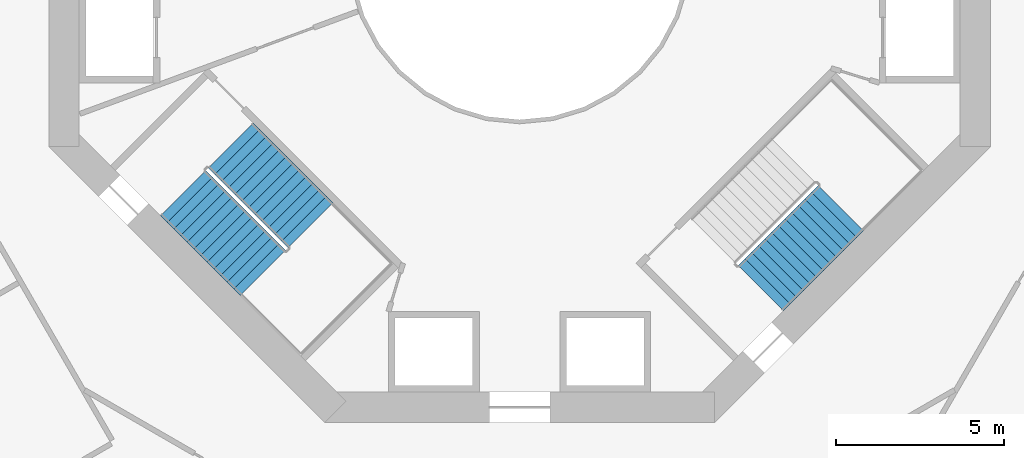
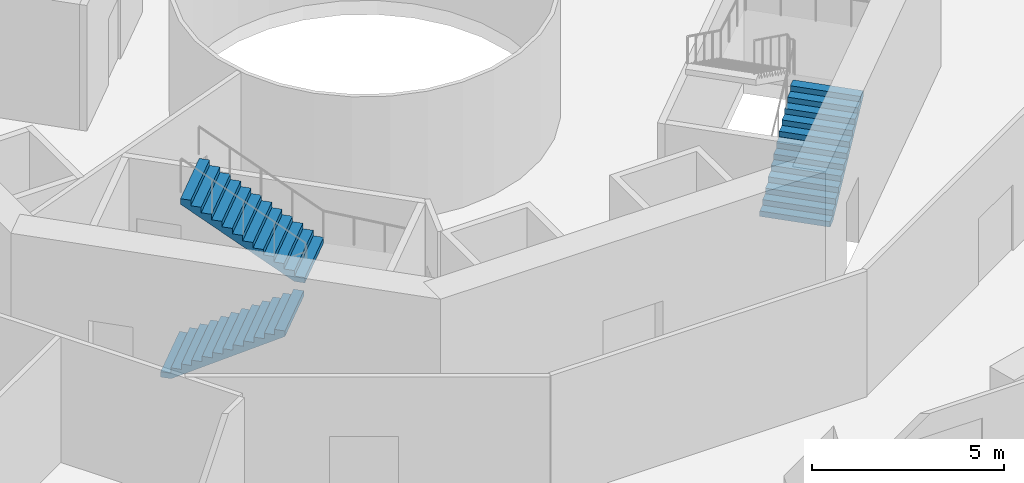
# One storey, part 9 of 20: 3 stair flights, 2 elements without a shape of their own.
"""IFC4 building model written with IfcOpenShell, lengths in metres."""

from ifc_helpers import new_model, si_unit, direction, frame, origin, place, context, subcontext, project, spatial, triangles, material, type_object, element, aggregate, save


model = new_model("IFC4")

# Units and contexts
model_context = context("Model", 3, precision=1e-05, world=origin(), true_north=direction((0.0, 1.0)))
body_context = subcontext(model_context, "Body", "Model", "MODEL_VIEW")
ifc_project = project(units=[si_unit("LENGTHUNIT", "METRE"), si_unit("AREAUNIT", "SQUARE_METRE"), si_unit("VOLUMEUNIT", "CUBIC_METRE"), si_unit("PLANEANGLEUNIT", "RADIAN"), si_unit("MASSUNIT", "GRAM", prefix="KILO")], contexts=[model_context])

# Site, building, storey
site_placement = place(None, origin())
site = spatial("IfcSite", under=ifc_project, at=site_placement, CompositionType="ELEMENT")
building_placement = place(site_placement, origin())
building = spatial("IfcBuilding", under=site, at=building_placement, Name="Verdalira Terraces Hotel", CompositionType="ELEMENT")
storey_placement = place(building_placement, frame((0.0, 0.0, 23.5)))
storey = spatial("IfcBuildingStorey", under=building, at=storey_placement, Name="L04", CompositionType="ELEMENT", Elevation=23.5)

# Stair, stair flights
ifc_material_1 = material(Name="Concrete C40", Category="concrete")
stair_type = type_object("IfcStairType", Name="Core stair 26 risers 1900 mm wide", PredefinedType="HALF_TURN_STAIR", material=ifc_material_1)
stair_1_placement = place(storey_placement, origin())
stair_1 = element("IfcStair", 1, at=stair_1_placement, inside=storey, type_object=stair_type, Name="L04 Exit stair ST2", PredefinedType="HALF_TURN_STAIR")
ifc_material_2 = material(Name="Concrete C40", Category="concrete")
stair_flight_type = type_object("IfcStairFlightType", Name="Core stair flight 26 risers 1900 mm wide", PredefinedType="STRAIGHT", material=ifc_material_2)
stair_flight_1_placement = place(storey_placement, frame((-10.005615, -7.177246, 0.0), z_axis=(0.0, 0.0, 1.0), x_axis=(0.707106781, -0.707106781, 0.0)))
stair_flight_1 = element("IfcStairFlight", 2, at=stair_flight_1_placement, type_object=stair_flight_type, Name="ST2 flight 1", NumberOfRisers=13, NumberOfTreads=12, PredefinedType="STRAIGHT", RiserHeight=0.173076923, TreadLength=0.28, context=body_context, shape_type="Tessellation", body=[
    triangles([(0.0, 0.949951, 0.0), (0.285156, 0.949951, 0.0), (3.360107, 0.949951, 1.900635), (0.0, -0.949951, 0.0), (0.285156, -0.949951, 0.0), (3.360107, -0.949951, 1.900635), (3.360107, 0.949951, 2.076904), (3.080078, 0.949951, 2.076904), (3.360107, -0.949951, 2.076904), (3.080078, -0.949951, 2.076904), (3.080078, 0.949951, 1.903809), (3.080078, -0.949951, 1.903809), (2.800049, 0.949951, 1.903809), (2.800049, -0.949951, 1.903809), (2.800049, 0.949951, 1.730713), (2.800049, -0.949951, 1.730713), (2.52002, 0.949951, 1.730713), (2.52002, 0.949951, 1.557617), (2.52002, -0.949951, 1.730713), (2.52002, -0.949951, 1.557617), (2.23999, 0.949951, 1.557617), (2.23999, 0.949951, 1.384521), (2.23999, -0.949951, 1.557617), (2.23999, -0.949951, 1.384521), (1.959961, 0.949951, 1.384521), (1.959961, 0.949951, 1.211426), (1.959961, -0.949951, 1.384521), (1.959961, -0.949951, 1.211426), (1.679932, 0.949951, 1.211426), (1.679932, 0.949951, 1.038574), (1.679932, -0.949951, 1.211426), (1.679932, -0.949951, 1.038574), (1.399902, 0.949951, 1.038574), (1.399902, 0.949951, 0.865479), (1.399902, -0.949951, 1.038574), (1.399902, -0.949951, 0.865479), (1.120117, 0.949951, 0.865479), (1.120117, 0.949951, 0.692383), (1.120117, -0.949951, 0.865479), (1.120117, -0.949951, 0.692383), (0.840088, 0.949951, 0.692383), (0.840088, 0.949951, 0.519287), (0.840088, -0.949951, 0.692383), (0.840088, -0.949951, 0.519287), (0.560059, 0.949951, 0.519287), (0.560059, 0.949951, 0.346191), (0.560059, -0.949951, 0.519287), (0.560059, -0.949951, 0.346191), (0.280029, 0.949951, 0.346191), (0.280029, 0.949951, 0.173096), (0.280029, -0.949951, 0.346191), (0.280029, -0.949951, 0.173096), (0.0, 0.949951, 0.173096), (0.0, -0.949951, 0.173096), (0.0, -0.890579, 0.0), (0.0, -0.890579, 0.173096), (0.0, -0.831207, 0.0), (0.0, -0.831207, 0.173096), (0.0, -0.771835, 0.0), (0.0, -0.771835, 0.173096), (0.0, -0.712463, 0.0), (0.0, -0.712463, 0.173096), (0.0, -0.653091, 0.0), (0.0, -0.653091, 0.173096), (0.0, -0.593719, 0.0), (0.0, -0.593719, 0.173096), (0.0, -0.534348, 0.0), (0.0, -0.534348, 0.173096), (0.0, -0.474976, 0.0), (0.0, -0.474976, 0.173096), (0.0, -0.415604, 0.0), (0.0, -0.415604, 0.173096), (0.0, -0.356232, 0.0), (0.0, -0.356232, 0.173096), (0.0, -0.29686, 0.0), (0.0, -0.29686, 0.173096), (0.0, -0.237488, 0.0), (0.0, -0.237488, 0.173096), (0.0, -0.178116, 0.0), (0.0, -0.178116, 0.173096), (0.0, -0.118744, 0.0), (0.0, -0.118744, 0.173096), (0.0, -0.059372, 0.0), (0.0, -0.059372, 0.173096), (0.0, 0.0, 0.0), (0.0, 0.0, 0.173096), (0.0, 0.059372, 0.0), (0.0, 0.059372, 0.173096), (0.0, 0.118744, 0.0), (0.0, 0.118744, 0.173096), (0.0, 0.178116, 0.0), (0.0, 0.178116, 0.173096), (0.0, 0.237488, 0.0), (0.0, 0.237488, 0.173096), (0.0, 0.29686, 0.0), (0.0, 0.29686, 0.173096), (0.0, 0.356232, 0.0), (0.0, 0.356232, 0.173096), (0.0, 0.415604, 0.0), (0.0, 0.415604, 0.173096), (0.0, 0.474976, 0.0), (0.0, 0.474976, 0.173096), (0.0, 0.534348, 0.0), (0.0, 0.534348, 0.173096), (0.0, 0.593719, 0.0), (0.0, 0.593719, 0.173096), (0.0, 0.653091, 0.0), (0.0, 0.653091, 0.173096), (0.0, 0.712463, 0.0), (0.0, 0.712463, 0.173096), (0.0, 0.771835, 0.0), (0.0, 0.771835, 0.173096), (0.0, 0.831207, 0.0), (0.0, 0.831207, 0.173096), (0.0, 0.890579, 0.0), (0.0, 0.890579, 0.173096), (3.360107, -0.890579, 2.076904), (3.360107, -0.831207, 2.076904), (3.360107, -0.771835, 2.076904), (3.360107, -0.712463, 2.076904), (3.360107, -0.653091, 2.076904), (3.360107, -0.593719, 2.076904), (3.360107, -0.534348, 2.076904), (3.360107, -0.474976, 2.076904), (3.360107, -0.415604, 2.076904), (3.360107, -0.356232, 2.076904), (3.360107, -0.29686, 2.076904), (3.360107, -0.237488, 2.076904), (3.360107, -0.178116, 2.076904), (3.360107, -0.118744, 2.076904), (3.360107, -0.059372, 2.076904), (3.360107, 0.0, 2.076904), (3.360107, 0.059372, 2.076904), (3.360107, 0.118744, 2.076904), (3.360107, 0.178116, 2.076904), (3.360107, 0.237488, 2.076904), (3.360107, 0.29686, 2.076904), (3.360107, 0.356232, 2.076904), (3.360107, 0.415604, 2.076904), (3.360107, 0.474976, 2.076904), (3.360107, 0.534348, 2.076904), (3.360107, 0.593719, 2.076904), (3.360107, 0.653091, 2.076904), (3.360107, 0.712463, 2.076904), (3.360107, 0.771835, 2.076904), (3.360107, 0.831207, 2.076904), (3.360107, 0.890579, 2.076904), (3.360107, -0.890579, 1.900635), (3.360107, -0.831207, 1.900635), (3.360107, -0.771835, 1.900635), (3.360107, -0.712463, 1.900635), (3.360107, -0.653091, 1.900635), (3.360107, -0.593719, 1.900635), (3.360107, -0.534348, 1.900635), (3.360107, -0.474976, 1.900635), (3.360107, -0.415604, 1.900635), (3.360107, -0.356232, 1.900635), (3.360107, -0.29686, 1.900635), (3.360107, -0.237488, 1.900635), (3.360107, -0.178116, 1.900635), (3.360107, -0.118744, 1.900635), (3.360107, -0.059372, 1.900635), (3.360107, 0.0, 1.900635), (3.360107, 0.059372, 1.900635), (3.360107, 0.118744, 1.900635), (3.360107, 0.178116, 1.900635), (3.360107, 0.237488, 1.900635), (3.360107, 0.29686, 1.900635), (3.360107, 0.356232, 1.900635), (3.360107, 0.415604, 1.900635), (3.360107, 0.474976, 1.900635), (3.360107, 0.534348, 1.900635), (3.360107, 0.593719, 1.900635), (3.360107, 0.653091, 1.900635), (3.360107, 0.712463, 1.900635), (3.360107, 0.771835, 1.900635), (3.360107, 0.831207, 1.900635), (3.360107, 0.890579, 1.900635)], [[1, 3, 2], [4, 5, 6], [3, 8, 7], [6, 9, 10], [3, 11, 8], [6, 10, 12], [3, 13, 11], [6, 12, 14], [3, 15, 13], [6, 14, 16], [15, 18, 17], [16, 19, 20], [3, 18, 15], [6, 16, 20], [18, 22, 21], [20, 23, 24], [3, 22, 18], [6, 20, 24], [22, 26, 25], [24, 27, 28], [3, 26, 22], [6, 24, 28], [1, 26, 3], [4, 6, 28], [26, 30, 29], [28, 31, 32], [30, 34, 33], [32, 35, 36], [26, 34, 30], [28, 32, 36], [34, 38, 37], [36, 39, 40], [26, 38, 34], [28, 36, 40], [38, 42, 41], [40, 43, 44], [26, 42, 38], [28, 40, 44], [42, 46, 45], [44, 47, 48], [26, 46, 42], [28, 44, 48], [46, 50, 49], [48, 51, 52], [26, 50, 46], [28, 48, 52], [1, 50, 26], [4, 28, 52], [50, 1, 53], [52, 54, 4], [4, 56, 55], [4, 54, 56], [55, 58, 57], [55, 56, 58], [57, 60, 59], [57, 58, 60], [59, 62, 61], [59, 60, 62], [61, 64, 63], [61, 62, 64], [63, 66, 65], [63, 64, 66], [65, 68, 67], [65, 66, 68], [67, 70, 69], [67, 68, 70], [69, 72, 71], [69, 70, 72], [71, 74, 73], [71, 72, 74], [73, 76, 75], [73, 74, 76], [75, 78, 77], [75, 76, 78], [77, 80, 79], [77, 78, 80], [79, 82, 81], [79, 80, 82], [81, 84, 83], [81, 82, 84], [83, 86, 85], [83, 84, 86], [85, 88, 87], [85, 86, 88], [87, 90, 89], [87, 88, 90], [89, 92, 91], [89, 90, 92], [91, 94, 93], [91, 92, 94], [93, 96, 95], [93, 94, 96], [95, 98, 97], [95, 96, 98], [97, 100, 99], [97, 98, 100], [99, 102, 101], [99, 100, 102], [101, 104, 103], [101, 102, 104], [103, 106, 105], [103, 104, 106], [105, 108, 107], [105, 106, 108], [107, 110, 109], [107, 108, 110], [109, 112, 111], [109, 110, 112], [111, 114, 113], [111, 112, 114], [113, 116, 115], [113, 114, 116], [115, 53, 1], [115, 116, 53], [54, 52, 56], [56, 52, 58], [58, 52, 60], [60, 52, 62], [62, 52, 64], [64, 52, 66], [66, 52, 68], [68, 52, 70], [70, 52, 72], [72, 52, 74], [74, 52, 76], [76, 52, 78], [78, 52, 80], [80, 52, 82], [82, 52, 84], [84, 52, 86], [86, 52, 88], [88, 52, 90], [90, 52, 92], [92, 52, 94], [94, 52, 96], [96, 52, 98], [98, 52, 100], [100, 52, 102], [102, 52, 104], [104, 52, 106], [106, 52, 108], [108, 52, 110], [110, 52, 112], [112, 52, 114], [114, 52, 116], [116, 52, 53], [53, 52, 50], [52, 49, 50], [52, 51, 49], [51, 46, 49], [51, 48, 46], [48, 45, 46], [48, 47, 45], [47, 42, 45], [47, 44, 42], [44, 41, 42], [44, 43, 41], [43, 38, 41], [43, 40, 38], [40, 37, 38], [40, 39, 37], [39, 34, 37], [39, 36, 34], [36, 33, 34], [36, 35, 33], [35, 30, 33], [35, 32, 30], [32, 29, 30], [32, 31, 29], [31, 26, 29], [31, 28, 26], [28, 25, 26], [28, 27, 25], [27, 22, 25], [27, 24, 22], [24, 21, 22], [24, 23, 21], [23, 18, 21], [23, 20, 18], [20, 17, 18], [20, 19, 17], [19, 15, 17], [19, 16, 15], [16, 13, 15], [16, 14, 13], [14, 11, 13], [14, 12, 11], [12, 8, 11], [12, 10, 8], [9, 117, 10], [117, 118, 10], [118, 119, 10], [119, 120, 10], [120, 121, 10], [121, 122, 10], [122, 123, 10], [123, 124, 10], [124, 125, 10], [125, 126, 10], [126, 127, 10], [127, 128, 10], [128, 129, 10], [129, 130, 10], [130, 131, 10], [131, 132, 10], [132, 133, 10], [133, 134, 10], [134, 135, 10], [135, 136, 10], [136, 137, 10], [137, 138, 10], [138, 139, 10], [139, 140, 10], [140, 141, 10], [141, 142, 10], [142, 143, 10], [143, 144, 10], [144, 145, 10], [145, 146, 10], [146, 147, 10], [147, 7, 10], [7, 8, 10], [9, 148, 117], [9, 6, 148], [117, 149, 118], [117, 148, 149], [118, 150, 119], [118, 149, 150], [119, 151, 120], [119, 150, 151], [120, 152, 121], [120, 151, 152], [121, 153, 122], [121, 152, 153], [122, 154, 123], [122, 153, 154], [123, 155, 124], [123, 154, 155], [124, 156, 125], [124, 155, 156], [125, 157, 126], [125, 156, 157], [126, 158, 127], [126, 157, 158], [127, 159, 128], [127, 158, 159], [128, 160, 129], [128, 159, 160], [129, 161, 130], [129, 160, 161], [130, 162, 131], [130, 161, 162], [131, 163, 132], [131, 162, 163], [132, 164, 133], [132, 163, 164], [133, 165, 134], [133, 164, 165], [134, 166, 135], [134, 165, 166], [135, 167, 136], [135, 166, 167], [136, 168, 137], [136, 167, 168], [137, 169, 138], [137, 168, 169], [138, 170, 139], [138, 169, 170], [139, 171, 140], [139, 170, 171], [140, 172, 141], [140, 171, 172], [141, 173, 142], [141, 172, 173], [142, 174, 143], [142, 173, 174], [143, 175, 144], [143, 174, 175], [144, 176, 145], [144, 175, 176], [145, 177, 146], [145, 176, 177], [146, 178, 147], [146, 177, 178], [147, 3, 7], [147, 178, 3], [6, 5, 148], [148, 5, 149], [149, 5, 150], [150, 5, 151], [151, 5, 152], [152, 5, 153], [153, 5, 154], [154, 5, 155], [155, 5, 156], [156, 5, 157], [157, 5, 158], [158, 5, 159], [159, 5, 160], [160, 5, 161], [161, 5, 162], [162, 5, 163], [163, 5, 164], [164, 5, 165], [165, 5, 166], [166, 5, 167], [167, 5, 168], [168, 5, 169], [169, 5, 170], [170, 5, 171], [171, 5, 172], [172, 5, 173], [173, 5, 174], [174, 5, 175], [175, 5, 176], [176, 5, 177], [177, 5, 178], [178, 5, 3], [3, 5, 2], [4, 55, 5], [55, 57, 5], [57, 59, 5], [59, 61, 5], [61, 63, 5], [63, 65, 5], [65, 67, 5], [67, 69, 5], [69, 71, 5], [71, 73, 5], [73, 75, 5], [75, 77, 5], [77, 79, 5], [79, 81, 5], [81, 83, 5], [83, 85, 5], [85, 87, 5], [87, 89, 5], [89, 91, 5], [91, 93, 5], [93, 95, 5], [95, 97, 5], [97, 99, 5], [99, 101, 5], [101, 103, 5], [103, 105, 5], [105, 107, 5], [107, 109, 5], [109, 111, 5], [111, 113, 5], [113, 115, 5], [115, 1, 5], [1, 2, 5]], closed=True),
])
stair_flight_2_placement = place(storey_placement, frame((-6.215576, -8.138916, 2.25), z_axis=(0.0, 0.0, 1.0), x_axis=(-0.707106781, 0.707106781, 0.0)))
stair_flight_2 = element("IfcStairFlight", 3, at=stair_flight_2_placement, type_object=stair_flight_type, Name="ST2 flight 2", NumberOfRisers=13, NumberOfTreads=12, PredefinedType="STRAIGHT", RiserHeight=0.173076923, TreadLength=0.28, context=body_context, shape_type="Tessellation", body=[
    triangles([(0.0, 0.949951, 0.0), (0.285156, 0.949951, 0.0), (3.360107, 0.949951, 1.900635), (0.0, -0.949951, 0.0), (0.285156, -0.949951, 0.0), (3.360107, -0.949951, 1.900635), (3.360107, 0.949951, 2.076904), (3.080078, 0.949951, 2.076904), (3.360107, -0.949951, 2.076904), (3.080078, -0.949951, 2.076904), (3.080078, 0.949951, 1.903809), (3.080078, -0.949951, 1.903809), (2.800049, 0.949951, 1.903809), (2.800049, -0.949951, 1.903809), (2.800049, 0.949951, 1.730713), (2.800049, -0.949951, 1.730713), (2.52002, 0.949951, 1.730713), (2.52002, 0.949951, 1.557617), (2.52002, -0.949951, 1.730713), (2.52002, -0.949951, 1.557617), (2.23999, 0.949951, 1.557617), (2.23999, 0.949951, 1.384521), (2.23999, -0.949951, 1.557617), (2.23999, -0.949951, 1.384521), (1.959961, 0.949951, 1.384521), (1.959961, 0.949951, 1.211426), (1.959961, -0.949951, 1.384521), (1.959961, -0.949951, 1.211426), (1.679932, 0.949951, 1.211426), (1.679932, 0.949951, 1.038574), (1.679932, -0.949951, 1.211426), (1.679932, -0.949951, 1.038574), (1.399902, 0.949951, 1.038574), (1.399902, 0.949951, 0.865479), (1.399902, -0.949951, 1.038574), (1.399902, -0.949951, 0.865479), (1.120117, 0.949951, 0.865479), (1.120117, 0.949951, 0.692383), (1.120117, -0.949951, 0.865479), (1.120117, -0.949951, 0.692383), (0.840088, 0.949951, 0.692383), (0.840088, 0.949951, 0.519287), (0.840088, -0.949951, 0.692383), (0.840088, -0.949951, 0.519287), (0.560059, 0.949951, 0.519287), (0.560059, 0.949951, 0.346191), (0.560059, -0.949951, 0.519287), (0.560059, -0.949951, 0.346191), (0.280029, 0.949951, 0.346191), (0.280029, 0.949951, 0.173096), (0.280029, -0.949951, 0.346191), (0.280029, -0.949951, 0.173096), (0.0, 0.949951, 0.173096), (0.0, -0.949951, 0.173096), (0.0, -0.890579, 0.0), (0.0, -0.890579, 0.173096), (0.0, -0.831207, 0.0), (0.0, -0.831207, 0.173096), (0.0, -0.771835, 0.0), (0.0, -0.771835, 0.173096), (0.0, -0.712463, 0.0), (0.0, -0.712463, 0.173096), (0.0, -0.653091, 0.0), (0.0, -0.653091, 0.173096), (0.0, -0.593719, 0.0), (0.0, -0.593719, 0.173096), (0.0, -0.534348, 0.0), (0.0, -0.534348, 0.173096), (0.0, -0.474976, 0.0), (0.0, -0.474976, 0.173096), (0.0, -0.415604, 0.0), (0.0, -0.415604, 0.173096), (0.0, -0.356232, 0.0), (0.0, -0.356232, 0.173096), (0.0, -0.29686, 0.0), (0.0, -0.29686, 0.173096), (0.0, -0.237488, 0.0), (0.0, -0.237488, 0.173096), (0.0, -0.178116, 0.0), (0.0, -0.178116, 0.173096), (0.0, -0.118744, 0.0), (0.0, -0.118744, 0.173096), (0.0, -0.059372, 0.0), (0.0, -0.059372, 0.173096), (0.0, 0.0, 0.0), (0.0, 0.0, 0.173096), (0.0, 0.059372, 0.0), (0.0, 0.059372, 0.173096), (0.0, 0.118744, 0.0), (0.0, 0.118744, 0.173096), (0.0, 0.178116, 0.0), (0.0, 0.178116, 0.173096), (0.0, 0.237488, 0.0), (0.0, 0.237488, 0.173096), (0.0, 0.29686, 0.0), (0.0, 0.29686, 0.173096), (0.0, 0.356232, 0.0), (0.0, 0.356232, 0.173096), (0.0, 0.415604, 0.0), (0.0, 0.415604, 0.173096), (0.0, 0.474976, 0.0), (0.0, 0.474976, 0.173096), (0.0, 0.534348, 0.0), (0.0, 0.534348, 0.173096), (0.0, 0.593719, 0.0), (0.0, 0.593719, 0.173096), (0.0, 0.653091, 0.0), (0.0, 0.653091, 0.173096), (0.0, 0.712463, 0.0), (0.0, 0.712463, 0.173096), (0.0, 0.771835, 0.0), (0.0, 0.771835, 0.173096), (0.0, 0.831207, 0.0), (0.0, 0.831207, 0.173096), (0.0, 0.890579, 0.0), (0.0, 0.890579, 0.173096), (3.360107, -0.890579, 2.076904), (3.360107, -0.831207, 2.076904), (3.360107, -0.771835, 2.076904), (3.360107, -0.712463, 2.076904), (3.360107, -0.653091, 2.076904), (3.360107, -0.593719, 2.076904), (3.360107, -0.534348, 2.076904), (3.360107, -0.474976, 2.076904), (3.360107, -0.415604, 2.076904), (3.360107, -0.356232, 2.076904), (3.360107, -0.29686, 2.076904), (3.360107, -0.237488, 2.076904), (3.360107, -0.178116, 2.076904), (3.360107, -0.118744, 2.076904), (3.360107, -0.059372, 2.076904), (3.360107, 0.0, 2.076904), (3.360107, 0.059372, 2.076904), (3.360107, 0.118744, 2.076904), (3.360107, 0.178116, 2.076904), (3.360107, 0.237488, 2.076904), (3.360107, 0.29686, 2.076904), (3.360107, 0.356232, 2.076904), (3.360107, 0.415604, 2.076904), (3.360107, 0.474976, 2.076904), (3.360107, 0.534348, 2.076904), (3.360107, 0.593719, 2.076904), (3.360107, 0.653091, 2.076904), (3.360107, 0.712463, 2.076904), (3.360107, 0.771835, 2.076904), (3.360107, 0.831207, 2.076904), (3.360107, 0.890579, 2.076904), (3.360107, -0.890579, 1.900635), (3.360107, -0.831207, 1.900635), (3.360107, -0.771835, 1.900635), (3.360107, -0.712463, 1.900635), (3.360107, -0.653091, 1.900635), (3.360107, -0.593719, 1.900635), (3.360107, -0.534348, 1.900635), (3.360107, -0.474976, 1.900635), (3.360107, -0.415604, 1.900635), (3.360107, -0.356232, 1.900635), (3.360107, -0.29686, 1.900635), (3.360107, -0.237488, 1.900635), (3.360107, -0.178116, 1.900635), (3.360107, -0.118744, 1.900635), (3.360107, -0.059372, 1.900635), (3.360107, 0.0, 1.900635), (3.360107, 0.059372, 1.900635), (3.360107, 0.118744, 1.900635), (3.360107, 0.178116, 1.900635), (3.360107, 0.237488, 1.900635), (3.360107, 0.29686, 1.900635), (3.360107, 0.356232, 1.900635), (3.360107, 0.415604, 1.900635), (3.360107, 0.474976, 1.900635), (3.360107, 0.534348, 1.900635), (3.360107, 0.593719, 1.900635), (3.360107, 0.653091, 1.900635), (3.360107, 0.712463, 1.900635), (3.360107, 0.771835, 1.900635), (3.360107, 0.831207, 1.900635), (3.360107, 0.890579, 1.900635)], [[1, 3, 2], [4, 5, 6], [3, 8, 7], [6, 9, 10], [3, 11, 8], [6, 10, 12], [3, 13, 11], [6, 12, 14], [3, 15, 13], [6, 14, 16], [15, 18, 17], [16, 19, 20], [3, 18, 15], [6, 16, 20], [18, 22, 21], [20, 23, 24], [3, 22, 18], [6, 20, 24], [22, 26, 25], [24, 27, 28], [3, 26, 22], [6, 24, 28], [1, 26, 3], [4, 6, 28], [26, 30, 29], [28, 31, 32], [30, 34, 33], [32, 35, 36], [26, 34, 30], [28, 32, 36], [34, 38, 37], [36, 39, 40], [26, 38, 34], [28, 36, 40], [38, 42, 41], [40, 43, 44], [26, 42, 38], [28, 40, 44], [42, 46, 45], [44, 47, 48], [26, 46, 42], [28, 44, 48], [46, 50, 49], [48, 51, 52], [26, 50, 46], [28, 48, 52], [1, 50, 26], [4, 28, 52], [50, 1, 53], [52, 54, 4], [4, 56, 55], [4, 54, 56], [55, 58, 57], [55, 56, 58], [57, 60, 59], [57, 58, 60], [59, 62, 61], [59, 60, 62], [61, 64, 63], [61, 62, 64], [63, 66, 65], [63, 64, 66], [65, 68, 67], [65, 66, 68], [67, 70, 69], [67, 68, 70], [69, 72, 71], [69, 70, 72], [71, 74, 73], [71, 72, 74], [73, 76, 75], [73, 74, 76], [75, 78, 77], [75, 76, 78], [77, 80, 79], [77, 78, 80], [79, 82, 81], [79, 80, 82], [81, 84, 83], [81, 82, 84], [83, 86, 85], [83, 84, 86], [85, 88, 87], [85, 86, 88], [87, 90, 89], [87, 88, 90], [89, 92, 91], [89, 90, 92], [91, 94, 93], [91, 92, 94], [93, 96, 95], [93, 94, 96], [95, 98, 97], [95, 96, 98], [97, 100, 99], [97, 98, 100], [99, 102, 101], [99, 100, 102], [101, 104, 103], [101, 102, 104], [103, 106, 105], [103, 104, 106], [105, 108, 107], [105, 106, 108], [107, 110, 109], [107, 108, 110], [109, 112, 111], [109, 110, 112], [111, 114, 113], [111, 112, 114], [113, 116, 115], [113, 114, 116], [115, 53, 1], [115, 116, 53], [54, 52, 56], [56, 52, 58], [58, 52, 60], [60, 52, 62], [62, 52, 64], [64, 52, 66], [66, 52, 68], [68, 52, 70], [70, 52, 72], [72, 52, 74], [74, 52, 76], [76, 52, 78], [78, 52, 80], [80, 52, 82], [82, 52, 84], [84, 52, 86], [86, 52, 88], [88, 52, 90], [90, 52, 92], [92, 52, 94], [94, 52, 96], [96, 52, 98], [98, 52, 100], [100, 52, 102], [102, 52, 104], [104, 52, 106], [106, 52, 108], [108, 52, 110], [110, 52, 112], [112, 52, 114], [114, 52, 116], [116, 52, 53], [53, 52, 50], [52, 49, 50], [52, 51, 49], [51, 46, 49], [51, 48, 46], [48, 45, 46], [48, 47, 45], [47, 42, 45], [47, 44, 42], [44, 41, 42], [44, 43, 41], [43, 38, 41], [43, 40, 38], [40, 37, 38], [40, 39, 37], [39, 34, 37], [39, 36, 34], [36, 33, 34], [36, 35, 33], [35, 30, 33], [35, 32, 30], [32, 29, 30], [32, 31, 29], [31, 26, 29], [31, 28, 26], [28, 25, 26], [28, 27, 25], [27, 22, 25], [27, 24, 22], [24, 21, 22], [24, 23, 21], [23, 18, 21], [23, 20, 18], [20, 17, 18], [20, 19, 17], [19, 15, 17], [19, 16, 15], [16, 13, 15], [16, 14, 13], [14, 11, 13], [14, 12, 11], [12, 8, 11], [12, 10, 8], [9, 117, 10], [117, 118, 10], [118, 119, 10], [119, 120, 10], [120, 121, 10], [121, 122, 10], [122, 123, 10], [123, 124, 10], [124, 125, 10], [125, 126, 10], [126, 127, 10], [127, 128, 10], [128, 129, 10], [129, 130, 10], [130, 131, 10], [131, 132, 10], [132, 133, 10], [133, 134, 10], [134, 135, 10], [135, 136, 10], [136, 137, 10], [137, 138, 10], [138, 139, 10], [139, 140, 10], [140, 141, 10], [141, 142, 10], [142, 143, 10], [143, 144, 10], [144, 145, 10], [145, 146, 10], [146, 147, 10], [147, 7, 10], [7, 8, 10], [9, 148, 117], [9, 6, 148], [117, 149, 118], [117, 148, 149], [118, 150, 119], [118, 149, 150], [119, 151, 120], [119, 150, 151], [120, 152, 121], [120, 151, 152], [121, 153, 122], [121, 152, 153], [122, 154, 123], [122, 153, 154], [123, 155, 124], [123, 154, 155], [124, 156, 125], [124, 155, 156], [125, 157, 126], [125, 156, 157], [126, 158, 127], [126, 157, 158], [127, 159, 128], [127, 158, 159], [128, 160, 129], [128, 159, 160], [129, 161, 130], [129, 160, 161], [130, 162, 131], [130, 161, 162], [131, 163, 132], [131, 162, 163], [132, 164, 133], [132, 163, 164], [133, 165, 134], [133, 164, 165], [134, 166, 135], [134, 165, 166], [135, 167, 136], [135, 166, 167], [136, 168, 137], [136, 167, 168], [137, 169, 138], [137, 168, 169], [138, 170, 139], [138, 169, 170], [139, 171, 140], [139, 170, 171], [140, 172, 141], [140, 171, 172], [141, 173, 142], [141, 172, 173], [142, 174, 143], [142, 173, 174], [143, 175, 144], [143, 174, 175], [144, 176, 145], [144, 175, 176], [145, 177, 146], [145, 176, 177], [146, 178, 147], [146, 177, 178], [147, 3, 7], [147, 178, 3], [6, 5, 148], [148, 5, 149], [149, 5, 150], [150, 5, 151], [151, 5, 152], [152, 5, 153], [153, 5, 154], [154, 5, 155], [155, 5, 156], [156, 5, 157], [157, 5, 158], [158, 5, 159], [159, 5, 160], [160, 5, 161], [161, 5, 162], [162, 5, 163], [163, 5, 164], [164, 5, 165], [165, 5, 166], [166, 5, 167], [167, 5, 168], [168, 5, 169], [169, 5, 170], [170, 5, 171], [171, 5, 172], [172, 5, 173], [173, 5, 174], [174, 5, 175], [175, 5, 176], [176, 5, 177], [177, 5, 178], [178, 5, 3], [3, 5, 2], [4, 55, 5], [55, 57, 5], [57, 59, 5], [59, 61, 5], [61, 63, 5], [63, 65, 5], [65, 67, 5], [67, 69, 5], [69, 71, 5], [71, 73, 5], [73, 75, 5], [75, 77, 5], [77, 79, 5], [79, 81, 5], [81, 83, 5], [83, 85, 5], [85, 87, 5], [87, 89, 5], [89, 91, 5], [91, 93, 5], [93, 95, 5], [95, 97, 5], [97, 99, 5], [99, 101, 5], [101, 103, 5], [103, 105, 5], [105, 107, 5], [107, 109, 5], [109, 111, 5], [111, 113, 5], [113, 115, 5], [115, 1, 5], [1, 2, 5]], closed=True),
])
aggregate(stair_1, [stair_flight_1, stair_flight_2])

# Stair, stair flight
stair_2_placement = place(storey_placement, origin())
stair_2 = element("IfcStair", 4, at=stair_2_placement, inside=storey, type_object=stair_type, Name="L04 Exit stair ST3", PredefinedType="HALF_TURN_STAIR")
stair_flight_3_placement = place(storey_placement, frame((7.177246, -10.005615, 0.0), z_axis=(0.0, 0.0, 1.0), x_axis=(0.707106781, 0.707106781, 0.0)))
stair_flight_3 = element("IfcStairFlight", 5, at=stair_flight_3_placement, type_object=stair_flight_type, Name="ST3 flight 1", NumberOfRisers=13, NumberOfTreads=12, PredefinedType="STRAIGHT", RiserHeight=0.173076923, TreadLength=0.28, context=body_context, shape_type="Tessellation", body=[
    triangles([(0.0, 0.949951, 0.0), (0.285156, 0.949951, 0.0), (3.360107, 0.949951, 1.900635), (0.0, -0.949951, 0.0), (0.285156, -0.949951, 0.0), (3.360107, -0.949951, 1.900635), (3.360107, 0.949951, 2.076904), (3.080078, 0.949951, 2.076904), (3.360107, -0.949951, 2.076904), (3.080078, -0.949951, 2.076904), (3.080078, 0.949951, 1.903809), (3.080078, -0.949951, 1.903809), (2.800049, 0.949951, 1.903809), (2.800049, -0.949951, 1.903809), (2.800049, 0.949951, 1.730713), (2.800049, -0.949951, 1.730713), (2.52002, 0.949951, 1.730713), (2.52002, 0.949951, 1.557617), (2.52002, -0.949951, 1.730713), (2.52002, -0.949951, 1.557617), (2.23999, 0.949951, 1.557617), (2.23999, 0.949951, 1.384521), (2.23999, -0.949951, 1.557617), (2.23999, -0.949951, 1.384521), (1.959961, 0.949951, 1.384521), (1.959961, 0.949951, 1.211426), (1.959961, -0.949951, 1.384521), (1.959961, -0.949951, 1.211426), (1.679932, 0.949951, 1.211426), (1.679932, 0.949951, 1.038574), (1.679932, -0.949951, 1.211426), (1.679932, -0.949951, 1.038574), (1.399902, 0.949951, 1.038574), (1.399902, 0.949951, 0.865479), (1.399902, -0.949951, 1.038574), (1.399902, -0.949951, 0.865479), (1.120117, 0.949951, 0.865479), (1.120117, 0.949951, 0.692383), (1.120117, -0.949951, 0.865479), (1.120117, -0.949951, 0.692383), (0.840088, 0.949951, 0.692383), (0.840088, 0.949951, 0.519287), (0.840088, -0.949951, 0.692383), (0.840088, -0.949951, 0.519287), (0.560059, 0.949951, 0.519287), (0.560059, 0.949951, 0.346191), (0.560059, -0.949951, 0.519287), (0.560059, -0.949951, 0.346191), (0.280029, 0.949951, 0.346191), (0.280029, 0.949951, 0.173096), (0.280029, -0.949951, 0.346191), (0.280029, -0.949951, 0.173096), (0.0, 0.949951, 0.173096), (0.0, -0.949951, 0.173096), (0.0, -0.890579, 0.0), (0.0, -0.890579, 0.173096), (0.0, -0.831207, 0.0), (0.0, -0.831207, 0.173096), (0.0, -0.771835, 0.0), (0.0, -0.771835, 0.173096), (0.0, -0.712463, 0.0), (0.0, -0.712463, 0.173096), (0.0, -0.653091, 0.0), (0.0, -0.653091, 0.173096), (0.0, -0.593719, 0.0), (0.0, -0.593719, 0.173096), (0.0, -0.534348, 0.0), (0.0, -0.534348, 0.173096), (0.0, -0.474976, 0.0), (0.0, -0.474976, 0.173096), (0.0, -0.415604, 0.0), (0.0, -0.415604, 0.173096), (0.0, -0.356232, 0.0), (0.0, -0.356232, 0.173096), (0.0, -0.29686, 0.0), (0.0, -0.29686, 0.173096), (0.0, -0.237488, 0.0), (0.0, -0.237488, 0.173096), (0.0, -0.178116, 0.0), (0.0, -0.178116, 0.173096), (0.0, -0.118744, 0.0), (0.0, -0.118744, 0.173096), (0.0, -0.059372, 0.0), (0.0, -0.059372, 0.173096), (0.0, 0.0, 0.0), (0.0, 0.0, 0.173096), (0.0, 0.059372, 0.0), (0.0, 0.059372, 0.173096), (0.0, 0.118744, 0.0), (0.0, 0.118744, 0.173096), (0.0, 0.178116, 0.0), (0.0, 0.178116, 0.173096), (0.0, 0.237488, 0.0), (0.0, 0.237488, 0.173096), (0.0, 0.29686, 0.0), (0.0, 0.29686, 0.173096), (0.0, 0.356232, 0.0), (0.0, 0.356232, 0.173096), (0.0, 0.415604, 0.0), (0.0, 0.415604, 0.173096), (0.0, 0.474976, 0.0), (0.0, 0.474976, 0.173096), (0.0, 0.534348, 0.0), (0.0, 0.534348, 0.173096), (0.0, 0.593719, 0.0), (0.0, 0.593719, 0.173096), (0.0, 0.653091, 0.0), (0.0, 0.653091, 0.173096), (0.0, 0.712463, 0.0), (0.0, 0.712463, 0.173096), (0.0, 0.771835, 0.0), (0.0, 0.771835, 0.173096), (0.0, 0.831207, 0.0), (0.0, 0.831207, 0.173096), (0.0, 0.890579, 0.0), (0.0, 0.890579, 0.173096), (3.360107, -0.890579, 2.076904), (3.360107, -0.831207, 2.076904), (3.360107, -0.771835, 2.076904), (3.360107, -0.712463, 2.076904), (3.360107, -0.653091, 2.076904), (3.360107, -0.593719, 2.076904), (3.360107, -0.534348, 2.076904), (3.360107, -0.474976, 2.076904), (3.360107, -0.415604, 2.076904), (3.360107, -0.356232, 2.076904), (3.360107, -0.29686, 2.076904), (3.360107, -0.237488, 2.076904), (3.360107, -0.178116, 2.076904), (3.360107, -0.118744, 2.076904), (3.360107, -0.059372, 2.076904), (3.360107, 0.0, 2.076904), (3.360107, 0.059372, 2.076904), (3.360107, 0.118744, 2.076904), (3.360107, 0.178116, 2.076904), (3.360107, 0.237488, 2.076904), (3.360107, 0.29686, 2.076904), (3.360107, 0.356232, 2.076904), (3.360107, 0.415604, 2.076904), (3.360107, 0.474976, 2.076904), (3.360107, 0.534348, 2.076904), (3.360107, 0.593719, 2.076904), (3.360107, 0.653091, 2.076904), (3.360107, 0.712463, 2.076904), (3.360107, 0.771835, 2.076904), (3.360107, 0.831207, 2.076904), (3.360107, 0.890579, 2.076904), (3.360107, -0.890579, 1.900635), (3.360107, -0.831207, 1.900635), (3.360107, -0.771835, 1.900635), (3.360107, -0.712463, 1.900635), (3.360107, -0.653091, 1.900635), (3.360107, -0.593719, 1.900635), (3.360107, -0.534348, 1.900635), (3.360107, -0.474976, 1.900635), (3.360107, -0.415604, 1.900635), (3.360107, -0.356232, 1.900635), (3.360107, -0.29686, 1.900635), (3.360107, -0.237488, 1.900635), (3.360107, -0.178116, 1.900635), (3.360107, -0.118744, 1.900635), (3.360107, -0.059372, 1.900635), (3.360107, 0.0, 1.900635), (3.360107, 0.059372, 1.900635), (3.360107, 0.118744, 1.900635), (3.360107, 0.178116, 1.900635), (3.360107, 0.237488, 1.900635), (3.360107, 0.29686, 1.900635), (3.360107, 0.356232, 1.900635), (3.360107, 0.415604, 1.900635), (3.360107, 0.474976, 1.900635), (3.360107, 0.534348, 1.900635), (3.360107, 0.593719, 1.900635), (3.360107, 0.653091, 1.900635), (3.360107, 0.712463, 1.900635), (3.360107, 0.771835, 1.900635), (3.360107, 0.831207, 1.900635), (3.360107, 0.890579, 1.900635)], [[1, 3, 2], [4, 5, 6], [3, 8, 7], [6, 9, 10], [3, 11, 8], [6, 10, 12], [3, 13, 11], [6, 12, 14], [3, 15, 13], [6, 14, 16], [15, 18, 17], [16, 19, 20], [3, 18, 15], [6, 16, 20], [18, 22, 21], [20, 23, 24], [3, 22, 18], [6, 20, 24], [22, 26, 25], [24, 27, 28], [3, 26, 22], [6, 24, 28], [1, 26, 3], [4, 6, 28], [26, 30, 29], [28, 31, 32], [30, 34, 33], [32, 35, 36], [26, 34, 30], [28, 32, 36], [34, 38, 37], [36, 39, 40], [26, 38, 34], [28, 36, 40], [38, 42, 41], [40, 43, 44], [26, 42, 38], [28, 40, 44], [42, 46, 45], [44, 47, 48], [26, 46, 42], [28, 44, 48], [46, 50, 49], [48, 51, 52], [26, 50, 46], [28, 48, 52], [1, 50, 26], [4, 28, 52], [50, 1, 53], [52, 54, 4], [4, 56, 55], [4, 54, 56], [55, 58, 57], [55, 56, 58], [57, 60, 59], [57, 58, 60], [59, 62, 61], [59, 60, 62], [61, 64, 63], [61, 62, 64], [63, 66, 65], [63, 64, 66], [65, 68, 67], [65, 66, 68], [67, 70, 69], [67, 68, 70], [69, 72, 71], [69, 70, 72], [71, 74, 73], [71, 72, 74], [73, 76, 75], [73, 74, 76], [75, 78, 77], [75, 76, 78], [77, 80, 79], [77, 78, 80], [79, 82, 81], [79, 80, 82], [81, 84, 83], [81, 82, 84], [83, 86, 85], [83, 84, 86], [85, 88, 87], [85, 86, 88], [87, 90, 89], [87, 88, 90], [89, 92, 91], [89, 90, 92], [91, 94, 93], [91, 92, 94], [93, 96, 95], [93, 94, 96], [95, 98, 97], [95, 96, 98], [97, 100, 99], [97, 98, 100], [99, 102, 101], [99, 100, 102], [101, 104, 103], [101, 102, 104], [103, 106, 105], [103, 104, 106], [105, 108, 107], [105, 106, 108], [107, 110, 109], [107, 108, 110], [109, 112, 111], [109, 110, 112], [111, 114, 113], [111, 112, 114], [113, 116, 115], [113, 114, 116], [115, 53, 1], [115, 116, 53], [54, 52, 56], [56, 52, 58], [58, 52, 60], [60, 52, 62], [62, 52, 64], [64, 52, 66], [66, 52, 68], [68, 52, 70], [70, 52, 72], [72, 52, 74], [74, 52, 76], [76, 52, 78], [78, 52, 80], [80, 52, 82], [82, 52, 84], [84, 52, 86], [86, 52, 88], [88, 52, 90], [90, 52, 92], [92, 52, 94], [94, 52, 96], [96, 52, 98], [98, 52, 100], [100, 52, 102], [102, 52, 104], [104, 52, 106], [106, 52, 108], [108, 52, 110], [110, 52, 112], [112, 52, 114], [114, 52, 116], [116, 52, 53], [53, 52, 50], [52, 49, 50], [52, 51, 49], [51, 46, 49], [51, 48, 46], [48, 45, 46], [48, 47, 45], [47, 42, 45], [47, 44, 42], [44, 41, 42], [44, 43, 41], [43, 38, 41], [43, 40, 38], [40, 37, 38], [40, 39, 37], [39, 34, 37], [39, 36, 34], [36, 33, 34], [36, 35, 33], [35, 30, 33], [35, 32, 30], [32, 29, 30], [32, 31, 29], [31, 26, 29], [31, 28, 26], [28, 25, 26], [28, 27, 25], [27, 22, 25], [27, 24, 22], [24, 21, 22], [24, 23, 21], [23, 18, 21], [23, 20, 18], [20, 17, 18], [20, 19, 17], [19, 15, 17], [19, 16, 15], [16, 13, 15], [16, 14, 13], [14, 11, 13], [14, 12, 11], [12, 8, 11], [12, 10, 8], [9, 117, 10], [117, 118, 10], [118, 119, 10], [119, 120, 10], [120, 121, 10], [121, 122, 10], [122, 123, 10], [123, 124, 10], [124, 125, 10], [125, 126, 10], [126, 127, 10], [127, 128, 10], [128, 129, 10], [129, 130, 10], [130, 131, 10], [131, 132, 10], [132, 133, 10], [133, 134, 10], [134, 135, 10], [135, 136, 10], [136, 137, 10], [137, 138, 10], [138, 139, 10], [139, 140, 10], [140, 141, 10], [141, 142, 10], [142, 143, 10], [143, 144, 10], [144, 145, 10], [145, 146, 10], [146, 147, 10], [147, 7, 10], [7, 8, 10], [9, 148, 117], [9, 6, 148], [117, 149, 118], [117, 148, 149], [118, 150, 119], [118, 149, 150], [119, 151, 120], [119, 150, 151], [120, 152, 121], [120, 151, 152], [121, 153, 122], [121, 152, 153], [122, 154, 123], [122, 153, 154], [123, 155, 124], [123, 154, 155], [124, 156, 125], [124, 155, 156], [125, 157, 126], [125, 156, 157], [126, 158, 127], [126, 157, 158], [127, 159, 128], [127, 158, 159], [128, 160, 129], [128, 159, 160], [129, 161, 130], [129, 160, 161], [130, 162, 131], [130, 161, 162], [131, 163, 132], [131, 162, 163], [132, 164, 133], [132, 163, 164], [133, 165, 134], [133, 164, 165], [134, 166, 135], [134, 165, 166], [135, 167, 136], [135, 166, 167], [136, 168, 137], [136, 167, 168], [137, 169, 138], [137, 168, 169], [138, 170, 139], [138, 169, 170], [139, 171, 140], [139, 170, 171], [140, 172, 141], [140, 171, 172], [141, 173, 142], [141, 172, 173], [142, 174, 143], [142, 173, 174], [143, 175, 144], [143, 174, 175], [144, 176, 145], [144, 175, 176], [145, 177, 146], [145, 176, 177], [146, 178, 147], [146, 177, 178], [147, 3, 7], [147, 178, 3], [6, 5, 148], [148, 5, 149], [149, 5, 150], [150, 5, 151], [151, 5, 152], [152, 5, 153], [153, 5, 154], [154, 5, 155], [155, 5, 156], [156, 5, 157], [157, 5, 158], [158, 5, 159], [159, 5, 160], [160, 5, 161], [161, 5, 162], [162, 5, 163], [163, 5, 164], [164, 5, 165], [165, 5, 166], [166, 5, 167], [167, 5, 168], [168, 5, 169], [169, 5, 170], [170, 5, 171], [171, 5, 172], [172, 5, 173], [173, 5, 174], [174, 5, 175], [175, 5, 176], [176, 5, 177], [177, 5, 178], [178, 5, 3], [3, 5, 2], [4, 55, 5], [55, 57, 5], [57, 59, 5], [59, 61, 5], [61, 63, 5], [63, 65, 5], [65, 67, 5], [67, 69, 5], [69, 71, 5], [71, 73, 5], [73, 75, 5], [75, 77, 5], [77, 79, 5], [79, 81, 5], [81, 83, 5], [83, 85, 5], [85, 87, 5], [87, 89, 5], [89, 91, 5], [91, 93, 5], [93, 95, 5], [95, 97, 5], [97, 99, 5], [99, 101, 5], [101, 103, 5], [103, 105, 5], [105, 107, 5], [107, 109, 5], [109, 111, 5], [111, 113, 5], [113, 115, 5], [115, 1, 5], [1, 2, 5]], closed=True),
])
aggregate(stair_2, [stair_flight_3])

save(model, "model.ifc")
